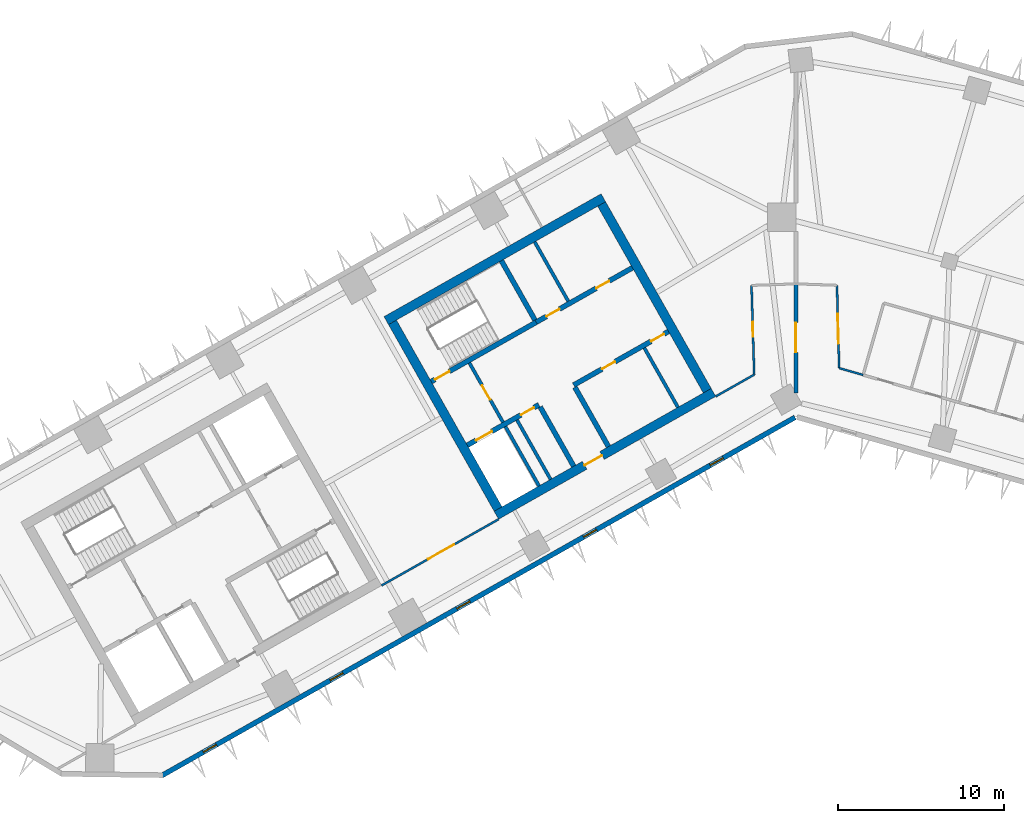
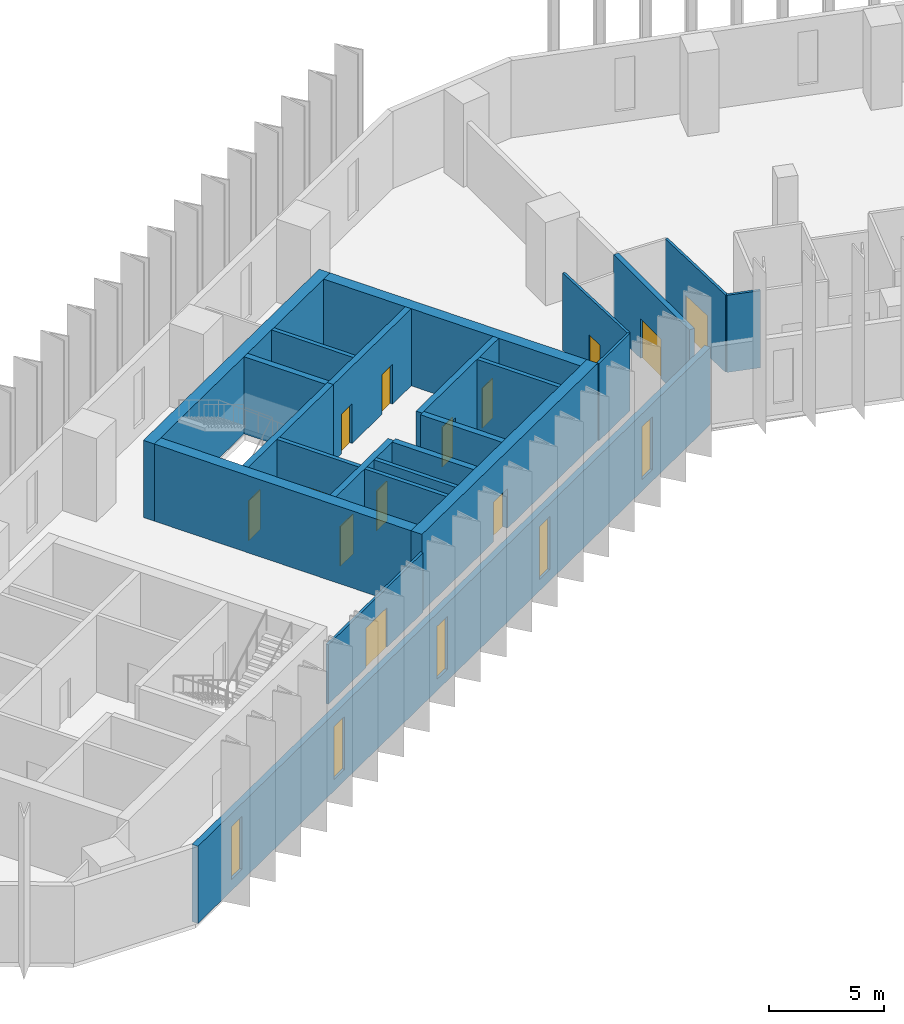
# One storey, part 4 of 11: 23 walls, 13 doors, 5 windows, 18 openings.
"""IFC4 building model written with IfcOpenShell, lengths in metres."""

import ifcopenshell
import ifcopenshell.guid

model = None  # the IFC model being written
_history = None  # IfcOwnerHistory: only IFC2X3 demands one
_inside = {}  # id of a spatial element -> (the spatial element, [elements in it])
_under = {}  # id of a project, library or spatial element -> (it, [spatial elements below it])
_declared = {}  # id of a project -> (the project, [libraries it declares])
_typed = {}  # id of a type object -> (the type object, [elements of that type])
_made_of = {}  # id of a material, layer set ... -> (it, [elements and type objects made of it])


def new_model(schema):
    """Start an empty IFC model of exactly this schema.

    Asked for "IFC4X3", IfcOpenShell would pick the latest addendum, in which some entities
    have other attributes; the version numbers below select the first issue.
    IFC2X3 requires an IfcOwnerHistory on every rooted entity: one is made here for all.
    """
    global model, _history
    if schema == "IFC4X3":
        model = ifcopenshell.file(schema_version=(4, 3, 0, 0))
    else:
        model = ifcopenshell.file(schema=schema)
    _inside.clear()
    _under.clear()
    _declared.clear()
    _typed.clear()
    _made_of.clear()
    _history = None
    if model.schema == "IFC2X3":
        org = make("IfcOrganization", Name="unknown")
        user = make(
            "IfcPersonAndOrganization",
            ThePerson=make("IfcPerson", FamilyName="unknown"),
            TheOrganization=org,
        )
        app = make(
            "IfcApplication",
            ApplicationDeveloper=org,
            Version="unknown",
            ApplicationFullName="unknown",
            ApplicationIdentifier="unknown",
        )
        _history = make(
            "IfcOwnerHistory",
            OwningUser=user,
            OwningApplication=app,
            ChangeAction="ADDED",
            CreationDate=0,
        )
    return model


def make(cls, **values):
    """One entity of the class cls with the attributes given. An attribute that is None is left unset."""
    return model.create_entity(
        cls, **{name: value for name, value in values.items() if value is not None}
    )


def rooted(cls, **values):
    """An entity with a GlobalId (a new one), such as an element, a storey or a relation."""
    return make(cls, GlobalId=ifcopenshell.guid.new(), OwnerHistory=_history, **values)


def si_unit(unit_type, name, prefix=None):
    """IfcSIUnit, for example si_unit("LENGTHUNIT", "METRE", prefix="MILLI")."""
    return make("IfcSIUnit", UnitType=unit_type, Prefix=prefix, Name=name)


def assignment(units):
    """IfcUnitAssignment: the units of a project."""
    return None if units is None else make("IfcUnitAssignment", Units=units)


def point(xyz):
    """IfcCartesianPoint."""
    return None if xyz is None else make("IfcCartesianPoint", Coordinates=xyz)


def direction(xyz):
    """IfcDirection."""
    return None if xyz is None else make("IfcDirection", DirectionRatios=xyz)


def frame(location, z_axis=None, x_axis=None):
    """IfcAxis2Placement3D, a coordinate frame: its origin and axes. An axis left out is left unset."""
    return make(
        "IfcAxis2Placement3D",
        Location=point(location),
        Axis=direction(z_axis),
        RefDirection=direction(x_axis),
    )


def frame_2d(location, x_axis=None):
    """IfcAxis2Placement2D, a coordinate frame in the plane: its origin and x axis."""
    return make(
        "IfcAxis2Placement2D", Location=point(location), RefDirection=direction(x_axis)
    )


def origin():
    """The frame at (0, 0, 0) with its axes left unset."""
    return frame((0.0, 0.0, 0.0))


def place(relative_to, where):
    """IfcLocalPlacement: puts the frame where relative to a parent placement (None: the world)."""
    return make(
        "IfcLocalPlacement", PlacementRelTo=relative_to, RelativePlacement=where
    )


def context(
    kind, dimensions, precision=None, world=None, true_north=None, identifier=None
):
    """IfcGeometricRepresentationContext, for example the 3D "Model" context."""
    return make(
        "IfcGeometricRepresentationContext",
        ContextIdentifier=identifier,
        ContextType=kind,
        CoordinateSpaceDimension=dimensions,
        Precision=precision,
        WorldCoordinateSystem=world,
        TrueNorth=true_north,
    )


def subcontext(parent, identifier, kind, view, scale=None):
    """IfcGeometricRepresentationSubContext, for example "Body" below "Model"."""
    return make(
        "IfcGeometricRepresentationSubContext",
        ContextIdentifier=identifier,
        ContextType=kind,
        ParentContext=parent,
        TargetScale=scale,
        TargetView=view,
    )


def project(units=None, contexts=None):
    """IfcProject with its units and contexts."""
    return rooted(
        "IfcProject",
        Name="project",
        RepresentationContexts=contexts,
        UnitsInContext=assignment(units),
    )


def spatial(cls, under=None, at=None, **own):
    """A site, building, storey or space (cls), placed at a placement, below another one or the project."""
    s = rooted(cls, ObjectPlacement=at, **own)
    if under is not None:
        _under.setdefault(under.id(), (under, []))[1].append(s)
    return s


def profile(cls, at=None, kind="AREA", **sizes):
    """A parametric profile (cls). Its sizes go by their IFC names, for example OverallWidth=200.0."""
    return make(cls, ProfileType=kind, Position=at, **sizes)


def rectangle(**sizes):
    """IfcRectangleProfileDef."""
    return profile("IfcRectangleProfileDef", **sizes)


def extrude(swept, where, along, depth):
    """IfcExtrudedAreaSolid: the profile swept, set in the frame where, extruded along a direction by depth."""
    return make(
        "IfcExtrudedAreaSolid",
        SweptArea=swept,
        Position=where,
        ExtrudedDirection=direction(along),
        Depth=depth,
    )


def shape(context_of_items, identifier, shape_type, items):
    """IfcShapeRepresentation: the items that make up one representation, for example the "Body"."""
    return make(
        "IfcShapeRepresentation",
        ContextOfItems=context_of_items,
        RepresentationIdentifier=identifier,
        RepresentationType=shape_type,
        Items=items,
    )


def material(Name=None, Category=None):
    """IfcMaterial."""
    return make("IfcMaterial", Name=Name, Category=Category)


def layer(
    of_material, thickness, ventilated=None, Name=None, Category=None, Priority=None
):
    """IfcMaterialLayer: one layer of a wall or slab, of a material (None: an air gap)."""
    return make(
        "IfcMaterialLayer",
        Material=of_material,
        LayerThickness=thickness,
        IsVentilated=ventilated,
        Name=Name,
        Category=Category,
        Priority=Priority,
    )


def layer_set(layers, Name=None):
    """IfcMaterialLayerSet."""
    return make("IfcMaterialLayerSet", MaterialLayers=layers, LayerSetName=Name)


def made_of(thing, what):
    """Note that an element or type object is made of a material, layer set ...; save() writes the relation."""
    if what is not None:
        _made_of.setdefault(what.id(), (what, []))[1].append(thing)
    return thing


def type_object(cls, material=None, **own):
    """A type object (cls), such as IfcWallType, which elements share."""
    return made_of(rooted(cls, **own), material)


def element(
    cls,
    number,
    at=None,
    inside=None,
    cuts=None,
    type_object=None,
    material=None,
    context=None,
    identifier="Body",
    shape_type=None,
    held_by="IfcProductDefinitionShape",
    body=None,
    shapes=None,
    **own,
):
    """One element of the class cls, such as IfcWall. Its Tag is "e" and its number.

    at: its placement. inside: the storey or other place that contains it. cuts: it is an
    opening in that element (IfcRelVoidsElement). A single representation is given by context,
    identifier, shape_type and body (its items); several are given by shapes. held_by: the class
    of the entity that holds the representations. save() writes the other relations.
    """
    e = rooted(cls, Tag="e%d" % number, ObjectPlacement=at, **own)
    if body is not None:
        shapes = [shape(context, identifier, shape_type, body)]
    if shapes is not None:
        e.Representation = make(held_by, Representations=shapes)
    if inside is not None:
        _inside.setdefault(inside.id(), (inside, []))[1].append(e)
    if cuts is not None:
        rooted(
            "IfcRelVoidsElement", RelatingBuildingElement=cuts, RelatedOpeningElement=e
        )
    if type_object is not None:
        _typed.setdefault(type_object.id(), (type_object, []))[1].append(e)
    return made_of(e, material)


def fill(opening, filler):
    """IfcRelFillsElement: the door or window that sits in an opening."""
    return rooted(
        "IfcRelFillsElement",
        RelatingOpeningElement=opening,
        RelatedBuildingElement=filler,
    )


def aggregate(whole, parts):
    """IfcRelAggregates: a whole, such as a stair, and the parts it consists of."""
    return rooted("IfcRelAggregates", RelatingObject=whole, RelatedObjects=parts)


def save(model, path):
    """Write the relations noted so far, then the file.

    IfcRelAggregates (storeys below a building ...), IfcRelContainedInSpatialStructure (elements
    in a storey), IfcRelDefinesByType, IfcRelAssociatesMaterial and IfcRelDeclares: one each for
    every whole, place, type object, material and project.
    """
    for whole, parts in _under.values():
        aggregate(whole, parts)
    for where, things in _inside.values():
        rooted(
            "IfcRelContainedInSpatialStructure",
            RelatedElements=things,
            RelatingStructure=where,
        )
    for kind, things in _typed.values():
        rooted("IfcRelDefinesByType", RelatedObjects=things, RelatingType=kind)
    for what, things in _made_of.values():
        rooted("IfcRelAssociatesMaterial", RelatedObjects=things, RelatingMaterial=what)
    for by, libraries in _declared.values():
        rooted("IfcRelDeclares", RelatingContext=by, RelatedDefinitions=libraries)
    model.write(path)


model = new_model("IFC4")

# Units and contexts
model_context = context("Model", 3, precision=1e-05, world=origin(), true_north=direction((0.0, 1.0)))
body_context = subcontext(model_context, "Body", "Model", "MODEL_VIEW")
ifc_project = project(units=[si_unit("LENGTHUNIT", "METRE"), si_unit("AREAUNIT", "SQUARE_METRE"), si_unit("VOLUMEUNIT", "CUBIC_METRE"), si_unit("PLANEANGLEUNIT", "RADIAN"), si_unit("MASSUNIT", "GRAM", prefix="KILO")], contexts=[model_context])

# Site, building, storey
site_placement = place(None, origin())
site = spatial("IfcSite", under=ifc_project, at=site_placement, CompositionType="ELEMENT")
building_placement = place(site_placement, origin())
building = spatial("IfcBuilding", under=site, at=building_placement, Name="Binnacle Exchange Tower", CompositionType="ELEMENT")
storey_placement = place(building_placement, frame((0.0, 0.0, 123.5)))
storey = spatial("IfcBuildingStorey", under=building, at=storey_placement, Name="L25", CompositionType="ELEMENT", Elevation=123.5)

# Walls
ifc_material_1 = material(Name="Gypsum partition fire rated")
ifc_layer_1 = layer(ifc_material_1, 0.199951171875)
ifc_layer_set_1 = layer_set([ifc_layer_1], Name="Core partition 200")
wall_type_1 = type_object("IfcWallType", Name="Core partition 200", PredefinedType="PARTITIONING", material=ifc_layer_set_1)
wall_1_placement = place(storey_placement, frame((-15.709228515625, 58.52294921875, 0.0), z_axis=(0.0, 0.0, 1.0), x_axis=(0.492428039142, -0.870353161807, 0.0)))
element("IfcWall", 1, at=wall_1_placement, inside=storey, type_object=wall_type_1, Name="Core wall CRWC17", PredefinedType="PARTITIONING", context=body_context, shape_type="SweptSolid", body=[
    extrude(rectangle(XDim=4.10009765625, YDim=0.199951171875, at=frame_2d((2.050048828125, 0.0))), origin(), (0.0, 0.0, 1.0), 4.080078125),
])
wall_2_placement = place(storey_placement, frame((-9.11279296875, 52.14404296875, 0.0), z_axis=(0.0, 0.0, 1.0), x_axis=(0.492408451753, -0.87036424366, 0.0)))
element("IfcWall", 2, at=wall_2_placement, inside=storey, type_object=wall_type_1, Name="Core wall CRWC22", PredefinedType="PARTITIONING", context=body_context, shape_type="SweptSolid", body=[
    extrude(rectangle(XDim=4.099853515625, YDim=0.199951171875, at=frame_2d((2.0498046875, 0.0))), origin(), (0.0, 0.0, 1.0), 4.080078125),
])

# Wall, openings, doors
ifc_material_2 = material(Name="Concrete C70/85", Category="concrete")
ifc_layer_2 = layer(ifc_material_2, 0.300048828125)
ifc_layer_set_2 = layer_set([ifc_layer_2], Name="Core wall - front 300")
wall_type_2 = type_object("IfcWallType", Name="Core wall - front 300", PredefinedType="SOLIDWALL", material=ifc_layer_set_2)
wall_3_placement = place(storey_placement, frame((-19.76171875, 46.291748046875, 0.0), z_axis=(0.0, 0.0, 1.0), x_axis=(0.870359758983, 0.49241637863, 0.0)))
wall_3 = element("IfcWall", 3, at=wall_3_placement, inside=storey, type_object=wall_type_2, Name="Core wall CRWC2", PredefinedType="SOLIDWALL", context=body_context, shape_type="SweptSolid", body=[
    extrude(rectangle(XDim=4.9501953125, YDim=0.300048828125, at=frame_2d((2.47509765625, 0.0))), origin(), (0.0, 0.0, 1.0), 4.080078125),
])
opening_1_placement = place(wall_3_placement, frame((0.60009765625, 0.0, 0.0)))
opening_1 = element("IfcOpeningElement", 4, at=opening_1_placement, cuts=wall_3, Name="Opening LD14", PredefinedType="OPENING", context=body_context, shape_type="SweptSolid", body=[
    extrude(rectangle(XDim=1.10009765625, YDim=2.10009765625, at=frame_2d((0.550048828125, 1.050048828125))), frame((0.0, 0.159912109375, 0.0), z_axis=(0.0, -1.0, 0.0), x_axis=(1.0, 0.0, 0.0)), (0.0, 0.0, 1.0), 0.320068359375),
])
opening_2_placement = place(wall_3_placement, frame((3.699951171875, 0.0, 0.0)))
opening_2 = element("IfcOpeningElement", 5, at=opening_2_placement, cuts=wall_3, Name="Opening DC14", PredefinedType="OPENING", context=body_context, shape_type="SweptSolid", body=[
    extrude(rectangle(XDim=0.89990234375, YDim=2.10009765625, at=frame_2d((0.449951171875, 1.050048828125))), frame((0.0, 0.159912109375, 0.0), z_axis=(0.0, -1.0, 0.0), x_axis=(1.0, 0.0, 0.0)), (0.0, 0.0, 1.0), 0.320068359375),
])
ifc_material_3 = material(Name="Steel door leaf", Category="steel")
door_type_1 = type_object("IfcDoorType", Name="Fire door - lift landing 1100", OperationType="NOTDEFINED", PredefinedType="DOOR", material=ifc_material_3)
door_1_placement = place(opening_1_placement, origin())
door_1 = element("IfcDoor", 6, at=door_1_placement, inside=storey, type_object=door_type_1, Name="Landing door LD14 L25", OperationType="DOUBLE_DOOR_SLIDING", OverallHeight=2.10009765625, OverallWidth=1.10009765625, PredefinedType="DOOR", context=body_context, shape_type="SweptSolid", body=[
    extrude(rectangle(XDim=1.10009765625, YDim=2.10009765625, at=frame_2d((0.550048828125, 1.050048828125))), frame((0.0, 0.02490234375, 0.0), z_axis=(0.0, -1.0, 0.0), x_axis=(1.0, 0.0, 0.0)), (0.0, 0.0, 1.0), 0.050048828125),
])
fill(opening_1, door_1)
door_type_2 = type_object("IfcDoorType", Name="Fire door 900", OperationType="NOTDEFINED", PredefinedType="DOOR", material=ifc_material_3)
door_2_placement = place(opening_2_placement, frame((0.89990234375, 0.0, 0.0), z_axis=(0.0, 0.0, 1.0), x_axis=(-1.0, 0.0, 0.0)))
door_2 = element("IfcDoor", 7, at=door_2_placement, inside=storey, type_object=door_type_2, Name="Core room door FIBRE ENTRY ROOM", OperationType="SINGLE_SWING_LEFT", OverallHeight=2.10009765625, OverallWidth=0.89990234375, PredefinedType="DOOR", context=body_context, shape_type="SweptSolid", body=[
    extrude(rectangle(XDim=0.89990234375, YDim=2.10009765625, at=frame_2d((0.449951171875, 1.050048828125))), frame((0.0, 0.02490234375, 0.0), z_axis=(0.0, -1.0, 0.0), x_axis=(1.0, 0.0, 0.0)), (0.0, 0.0, 1.0), 0.050048828125),
])
fill(opening_2, door_2)

wall_4_placement = place(storey_placement, frame((-13.364501953125, 49.910888671875, 0.0), z_axis=(0.0, 0.0, 1.0), x_axis=(0.870336435567, 0.492457601144, 0.0)))
wall_4 = element("IfcWall", 8, at=wall_4_placement, inside=storey, type_object=wall_type_2, Name="Core wall CRWC3", PredefinedType="SOLIDWALL", context=body_context, shape_type="SweptSolid", body=[
    extrude(rectangle(XDim=6.550048828125, YDim=0.300048828125, at=frame_2d((3.27490234375, 0.0))), origin(), (0.0, 0.0, 1.0), 4.080078125),
])
opening_3_placement = place(wall_4_placement, frame((1.949951171875, 0.0, 0.0)))
opening_3 = element("IfcOpeningElement", 9, at=opening_3_placement, cuts=wall_4, Name="Opening DC18", PredefinedType="OPENING", context=body_context, shape_type="SweptSolid", body=[
    extrude(rectangle(XDim=0.89990234375, YDim=2.10009765625, at=frame_2d((0.449951171875, 1.050048828125))), frame((0.0, 0.159912109375, 0.0), z_axis=(0.0, -1.0, 0.0), x_axis=(1.0, 0.0, 0.0)), (0.0, 0.0, 1.0), 0.320068359375),
])
opening_4_placement = place(wall_4_placement, frame((5.35009765625, 0.0, 0.0)))
opening_4 = element("IfcOpeningElement", 10, at=opening_4_placement, cuts=wall_4, Name="Opening DC19", PredefinedType="OPENING", context=body_context, shape_type="SweptSolid", body=[
    extrude(rectangle(XDim=0.89990234375, YDim=2.10009765625, at=frame_2d((0.449951171875, 1.050048828125))), frame((0.0, 0.159912109375, 0.0), z_axis=(0.0, -1.0, 0.0), x_axis=(1.0, 0.0, 0.0)), (0.0, 0.0, 1.0), 0.320068359375),
])
door_3_placement = place(opening_3_placement, frame((0.89990234375, 0.0, 0.0), z_axis=(0.0, 0.0, 1.0), x_axis=(-1.0, 0.0, 0.0)))
door_3 = element("IfcDoor", 11, at=door_3_placement, inside=storey, type_object=door_type_2, Name="Core room door TELECOM RISER ROOM", OperationType="SINGLE_SWING_RIGHT", OverallHeight=2.10009765625, OverallWidth=0.89990234375, PredefinedType="DOOR", context=body_context, shape_type="SweptSolid", body=[
    extrude(rectangle(XDim=0.89990234375, YDim=2.10009765625, at=frame_2d((0.449951171875, 1.050048828125))), frame((0.0, 0.02490234375, 0.0), z_axis=(0.0, -1.0, 0.0), x_axis=(1.0, 0.0, 0.0)), (0.0, 0.0, 1.0), 0.050048828125),
])
fill(opening_3, door_3)
door_4_placement = place(opening_4_placement, frame((0.89990234375, 0.0, 0.0), z_axis=(0.0, 0.0, 1.0), x_axis=(-1.0, 0.0, 0.0)))
door_4 = element("IfcDoor", 12, at=door_4_placement, inside=storey, type_object=door_type_2, Name="Core room door COMMS RISER ROOM", OperationType="SINGLE_SWING_LEFT", OverallHeight=2.10009765625, OverallWidth=0.89990234375, PredefinedType="DOOR", context=body_context, shape_type="SweptSolid", body=[
    extrude(rectangle(XDim=0.89990234375, YDim=2.10009765625, at=frame_2d((0.449951171875, 1.050048828125))), frame((0.0, 0.02490234375, 0.0), z_axis=(0.0, -1.0, 0.0), x_axis=(1.0, 0.0, 0.0)), (0.0, 0.0, 1.0), 0.050048828125),
])
fill(opening_4, door_4)

wall_5_placement = place(storey_placement, frame((-15.6181640625, 53.69140625, 0.0), z_axis=(0.0, 0.0, 1.0), x_axis=(0.870367894134, 0.492401999246, 0.0)))
wall_5 = element("IfcWall", 13, at=wall_5_placement, inside=storey, type_object=wall_type_2, Name="Core wall CRWC5", PredefinedType="SOLIDWALL", context=body_context, shape_type="SweptSolid", body=[
    extrude(rectangle(XDim=6.64990234375, YDim=0.300048828125, at=frame_2d((3.324951171875, 0.0))), origin(), (0.0, 0.0, 1.0), 4.080078125),
])
opening_5_placement = place(wall_5_placement, frame((0.699951171875, 0.0, 0.0)))
opening_5 = element("IfcOpeningElement", 14, at=opening_5_placement, cuts=wall_5, Name="Opening DC10", PredefinedType="OPENING", context=body_context, shape_type="SweptSolid", body=[
    extrude(rectangle(XDim=0.89990234375, YDim=2.10009765625, at=frame_2d((0.449951171875, 1.050048828125))), frame((0.0, 0.159912109375, 0.0), z_axis=(0.0, -1.0, 0.0), x_axis=(1.0, 0.0, 0.0)), (0.0, 0.0, 1.0), 0.320068359375),
])
opening_6_placement = place(wall_5_placement, frame((4.14990234375, 0.0, 0.0)))
opening_6 = element("IfcOpeningElement", 15, at=opening_6_placement, cuts=wall_5, Name="Opening DC11", PredefinedType="OPENING", context=body_context, shape_type="SweptSolid", body=[
    extrude(rectangle(XDim=0.89990234375, YDim=2.10009765625, at=frame_2d((0.449951171875, 1.050048828125))), frame((0.0, 0.159912109375, 0.0), z_axis=(0.0, -1.0, 0.0), x_axis=(1.0, 0.0, 0.0)), (0.0, 0.0, 1.0), 0.320068359375),
])
door_5_placement = place(opening_5_placement, origin())
door_5 = element("IfcDoor", 16, at=door_5_placement, inside=storey, type_object=door_type_2, Name="Core room door UPS CUPBOARD", OperationType="SINGLE_SWING_LEFT", OverallHeight=2.10009765625, OverallWidth=0.89990234375, PredefinedType="DOOR", context=body_context, shape_type="SweptSolid", body=[
    extrude(rectangle(XDim=0.89990234375, YDim=2.10009765625, at=frame_2d((0.449951171875, 1.050048828125))), frame((0.0, 0.02490234375, 0.0), z_axis=(0.0, -1.0, 0.0), x_axis=(1.0, 0.0, 0.0)), (0.0, 0.0, 1.0), 0.050048828125),
])
fill(opening_5, door_5)
door_6_placement = place(opening_6_placement, origin())
door_6 = element("IfcDoor", 17, at=door_6_placement, inside=storey, type_object=door_type_2, Name="Core room door EQUIPMENT STORE", OperationType="SINGLE_SWING_RIGHT", OverallHeight=2.10009765625, OverallWidth=0.89990234375, PredefinedType="DOOR", context=body_context, shape_type="SweptSolid", body=[
    extrude(rectangle(XDim=0.89990234375, YDim=2.10009765625, at=frame_2d((0.449951171875, 1.050048828125))), frame((0.0, 0.02490234375, 0.0), z_axis=(0.0, -1.0, 0.0), x_axis=(1.0, 0.0, 0.0)), (0.0, 0.0, 1.0), 0.050048828125),
])
fill(opening_6, door_6)

# Walls
wall_6_placement = place(storey_placement, frame((-15.37939453125, 48.5986328125, 0.0), z_axis=(0.0, 0.0, 1.0), x_axis=(0.492408451753, -0.87036424366, 0.0)))
element("IfcWall", 18, at=wall_6_placement, inside=storey, type_object=wall_type_2, Name="Core wall CRWC13", PredefinedType="SOLIDWALL", context=body_context, shape_type="SweptSolid", body=[
    extrude(rectangle(XDim=4.099853515625, YDim=0.300048828125, at=frame_2d((2.0498046875, 0.0))), origin(), (0.0, 0.0, 1.0), 4.080078125),
])
wall_7_placement = place(storey_placement, frame((-13.29052734375, 49.780517578125, 0.0), z_axis=(0.0, 0.0, 1.0), x_axis=(0.492382931784, -0.870378681085, 0.0)))
element("IfcWall", 19, at=wall_7_placement, inside=storey, type_object=wall_type_2, Name="Core wall CRWC15", PredefinedType="SOLIDWALL", context=body_context, shape_type="SweptSolid", body=[
    extrude(rectangle(XDim=4.10009765625, YDim=0.300048828125, at=frame_2d((2.050048828125, 0.0))), origin(), (0.0, 0.0, 1.0), 4.080078125),
])

# Wall, opening, door
ifc_layer_3 = layer(ifc_material_2, 0.550048828125)
ifc_layer_set_3 = layer_set([ifc_layer_3], Name="Core wall - outer 550")
wall_type_3 = type_object("IfcWallType", Name="Core wall - outer 550", PredefinedType="SOLIDWALL", material=ifc_layer_set_3)
wall_8_placement = place(storey_placement, frame((-18.01220703125, 42.08251953125, 0.0), z_axis=(0.0, 0.0, 1.0), x_axis=(0.870360574057, 0.492414937962, 0.0)))
wall_8 = element("IfcWall", 20, at=wall_8_placement, inside=storey, type_object=wall_type_3, Name="Core wall CRWC1", PredefinedType="SOLIDWALL", context=body_context, shape_type="SweptSolid", body=[
    extrude(rectangle(XDim=15.0, YDim=0.550048828125, at=frame_2d((7.5, 0.0))), origin(), (0.0, 0.0, 1.0), 4.080078125),
])
opening_7_placement = place(wall_8_placement, frame((6.10009765625, 0.0, 0.0)))
opening_7 = element("IfcOpeningElement", 21, at=opening_7_placement, cuts=wall_8, Name="Opening DC7", PredefinedType="OPENING", context=body_context, shape_type="SweptSolid", body=[
    extrude(rectangle(XDim=1.199951171875, YDim=2.10009765625, at=frame_2d((0.60009765625, 1.050048828125))), frame((0.0, 0.284912109375, 0.0), z_axis=(0.0, -1.0, 0.0), x_axis=(1.0, 0.0, 0.0)), (0.0, 0.0, 1.0), 0.570068359375),
])
door_type_3 = type_object("IfcDoorType", Name="Fire door 1200", OperationType="NOTDEFINED", PredefinedType="DOOR", material=ifc_material_3)
door_7_placement = place(opening_7_placement, frame((1.199951171875, 0.0, 0.0), z_axis=(0.0, 0.0, 1.0), x_axis=(-1.0, 0.0, 0.0)))
door_7 = element("IfcDoor", 22, at=door_7_placement, inside=storey, type_object=door_type_3, Name="Lift lobby entrance door core C", OperationType="SINGLE_SWING_RIGHT", OverallHeight=2.10009765625, OverallWidth=1.199951171875, PredefinedType="DOOR", context=body_context, shape_type="SweptSolid", body=[
    extrude(rectangle(XDim=1.199951171875, YDim=2.10009765625, at=frame_2d((0.60009765625, 1.050048828125))), frame((0.0, 0.02490234375, 0.0), z_axis=(0.0, -1.0, 0.0), x_axis=(1.0, 0.0, 0.0)), (0.0, 0.0, 1.0), 0.050048828125),
])
fill(opening_7, door_7)

# Walls
wall_9_placement = place(storey_placement, frame((-24.63525390625, 53.788818359375, 0.0), z_axis=(0.0, 0.0, 1.0), x_axis=(0.870360574057, 0.492414937962, 0.0)))
element("IfcWall", 23, at=wall_9_placement, inside=storey, type_object=wall_type_3, Name="Core wall CRWC6", PredefinedType="SOLIDWALL", context=body_context, shape_type="SweptSolid", body=[
    extrude(rectangle(XDim=15.0, YDim=0.550048828125, at=frame_2d((7.5, 0.0))), origin(), (0.0, 0.0, 1.0), 4.080078125),
])
for number, where, z_axis, x_axis, name in (
    (24, (-24.260498046875, 53.684814453125, 0.0), (0.0, 0.0, 1.0), (0.492427022044, -0.870353737259, 0.0), "Core wall CRWC7"),
    (25, (-11.683837890625, 60.80029296875, 0.0), (0.0, 0.0, 1.0), (0.492427022044, -0.870353737259, 0.0), "Core wall CRWC24"),
):
    element("IfcWall", number, at=place(storey_placement, frame(where, z_axis=z_axis, x_axis=x_axis)), inside=storey, type_object=wall_type_3, Name=name, PredefinedType="SOLIDWALL", context=body_context, shape_type="SweptSolid", body=[
        extrude(rectangle(XDim=12.89990234375, YDim=0.550048828125, at=frame_2d((6.449951171875, 0.0))), origin(), (0.0, 0.0, 1.0), 4.080078125),
    ])

# Wall, opening, door
ifc_layer_4 = layer(ifc_material_2, 0.300048828125)
ifc_layer_set_4 = layer_set([ifc_layer_4], Name="Core wall - stair 300")
wall_type_4 = type_object("IfcWallType", Name="Core wall - stair 300", PredefinedType="SOLIDWALL", material=ifc_layer_set_4)
wall_10_placement = place(storey_placement, frame((-21.92822265625, 50.12109375, 0.0), z_axis=(0.0, 0.0, 1.0), x_axis=(0.870340732628, 0.49245000673, 0.0)))
wall_10 = element("IfcWall", 26, at=wall_10_placement, inside=storey, type_object=wall_type_4, Name="Core wall CRWC4", PredefinedType="SOLIDWALL", context=body_context, shape_type="SweptSolid", body=[
    extrude(rectangle(XDim=7.25, YDim=0.300048828125, at=frame_2d((3.625, 0.0))), origin(), (0.0, 0.0, 1.0), 4.080078125),
])
opening_8_placement = place(wall_10_placement, frame((0.25, 0.0, 0.0)))
opening_8 = element("IfcOpeningElement", 27, at=opening_8_placement, cuts=wall_10, Name="Opening DC1", PredefinedType="OPENING", context=body_context, shape_type="SweptSolid", body=[
    extrude(rectangle(XDim=1.0, YDim=2.10009765625, at=frame_2d((0.5, 1.050048828125))), frame((0.0, 0.159912109375, 0.0), z_axis=(0.0, -1.0, 0.0), x_axis=(1.0, 0.0, 0.0)), (0.0, 0.0, 1.0), 0.320068359375),
])
door_type_4 = type_object("IfcDoorType", Name="Fire door 1000", OperationType="NOTDEFINED", PredefinedType="DOOR", material=ifc_material_3)
door_8_placement = place(opening_8_placement, origin())
door_8 = element("IfcDoor", 28, at=door_8_placement, inside=storey, type_object=door_type_4, Name="Stair door ST-C1", OperationType="SINGLE_SWING_LEFT", OverallHeight=2.10009765625, OverallWidth=1.0, PredefinedType="DOOR", context=body_context, shape_type="SweptSolid", body=[
    extrude(rectangle(XDim=1.0, YDim=2.10009765625, at=frame_2d((0.5, 1.050048828125))), frame((0.0, 0.02490234375, 0.0), z_axis=(0.0, -1.0, 0.0), x_axis=(1.0, 0.0, 0.0)), (0.0, 0.0, 1.0), 0.050048828125),
])
fill(opening_8, door_8)

# Wall
wall_11_placement = place(storey_placement, frame((-17.7109375, 57.390380859375, 0.0), z_axis=(0.0, 0.0, 1.0), x_axis=(0.492408451753, -0.87036424366, 0.0)))
element("IfcWall", 29, at=wall_11_placement, inside=storey, type_object=wall_type_4, Name="Core wall CRWC14", PredefinedType="SOLIDWALL", context=body_context, shape_type="SweptSolid", body=[
    extrude(rectangle(XDim=4.099853515625, YDim=0.300048828125, at=frame_2d((2.0498046875, 0.0))), origin(), (0.0, 0.0, 1.0), 4.080078125),
])

# Wall, openings, windows
ifc_material_4 = material(Name="Bronze aluminium cladding", Category="aluminium")
ifc_layer_5 = layer(ifc_material_4, 0.300048828125)
ifc_layer_set_5 = layer_set([ifc_layer_5], Name="External wall - spandrel 300")
wall_type_5 = type_object("IfcWallType", Name="External wall - spandrel 300", PredefinedType="STANDARD", material=ifc_layer_set_5)
wall_12_placement = place(storey_placement, frame((-0.0546875, 47.968994140625, 0.0), z_axis=(0.0, 0.0, 1.0), x_axis=(-0.870355730478, -0.492423499058, 0.0)))
wall_12 = element("IfcWall", 30, at=wall_12_placement, inside=storey, type_object=wall_type_5, Name="External wall EW-F07 L25", PredefinedType="STANDARD", context=body_context, shape_type="SweptSolid", body=[
    extrude(rectangle(XDim=43.750244140625, YDim=0.300048828125, at=frame_2d((21.875, 0.0))), origin(), (0.0, 0.0, 1.0), 4.080078125),
])
opening_9_placement = place(wall_12_placement, frame((39.976806640625, 0.0, 0.60009765625)))
opening_9 = element("IfcOpeningElement", 31, at=opening_9_placement, cuts=wall_12, Name="Opening WS2", PredefinedType="OPENING", context=body_context, shape_type="SweptSolid", body=[
    extrude(rectangle(XDim=0.89990234375, YDim=2.800048828125, at=frame_2d((0.449951171875, 1.39990234375))), frame((0.0, 0.159912109375, 0.0), z_axis=(0.0, -1.0, 0.0), x_axis=(1.0, 0.0, 0.0)), (0.0, 0.0, 1.0), 0.320068359375),
])
opening_10_placement = place(wall_12_placement, frame((31.222412109375, 0.0, 0.60009765625)))
opening_10 = element("IfcOpeningElement", 32, at=opening_10_placement, cuts=wall_12, Name="Opening WS2", PredefinedType="OPENING", context=body_context, shape_type="SweptSolid", body=[
    extrude(rectangle(XDim=0.89990234375, YDim=2.800048828125, at=frame_2d((0.449951171875, 1.39990234375))), frame((0.0, 0.159912109375, 0.0), z_axis=(0.0, -1.0, 0.0), x_axis=(1.0, 0.0, 0.0)), (0.0, 0.0, 1.0), 0.320068359375),
])
opening_11_placement = place(wall_12_placement, frame((22.4677734375, 0.0, 0.60009765625)))
opening_11 = element("IfcOpeningElement", 33, at=opening_11_placement, cuts=wall_12, Name="Opening WS2", PredefinedType="OPENING", context=body_context, shape_type="SweptSolid", body=[
    extrude(rectangle(XDim=0.89990234375, YDim=2.800048828125, at=frame_2d((0.449951171875, 1.39990234375))), frame((0.0, 0.159912109375, 0.0), z_axis=(0.0, -1.0, 0.0), x_axis=(1.0, 0.0, 0.0)), (0.0, 0.0, 1.0), 0.320068359375),
])
opening_12_placement = place(wall_12_placement, frame((13.713134765625, 0.0, 0.60009765625)))
opening_12 = element("IfcOpeningElement", 34, at=opening_12_placement, cuts=wall_12, Name="Opening WS2", PredefinedType="OPENING", context=body_context, shape_type="SweptSolid", body=[
    extrude(rectangle(XDim=0.89990234375, YDim=2.800048828125, at=frame_2d((0.449951171875, 1.39990234375))), frame((0.0, 0.159912109375, 0.0), z_axis=(0.0, -1.0, 0.0), x_axis=(1.0, 0.0, 0.0)), (0.0, 0.0, 1.0), 0.320068359375),
])
opening_13_placement = place(wall_12_placement, frame((4.958740234375, 0.0, 0.60009765625)))
opening_13 = element("IfcOpeningElement", 35, at=opening_13_placement, cuts=wall_12, Name="Opening WS2", PredefinedType="OPENING", context=body_context, shape_type="SweptSolid", body=[
    extrude(rectangle(XDim=0.89990234375, YDim=2.800048828125, at=frame_2d((0.449951171875, 1.39990234375))), frame((0.0, 0.159912109375, 0.0), z_axis=(0.0, -1.0, 0.0), x_axis=(1.0, 0.0, 0.0)), (0.0, 0.0, 1.0), 0.320068359375),
])
ifc_material_5 = material(Name="Bronze anodised aluminium frame", Category="aluminium")
window_type = type_object("IfcWindowType", Name="WS2 WINDOW 900x2800", PartitioningType="SINGLE_PANEL", PredefinedType="WINDOW", material=ifc_material_5)
window_1_placement = place(opening_9_placement, origin())
window_1 = element("IfcWindow", 36, at=window_1_placement, inside=storey, type_object=window_type, Name="Window WS2 L25", OverallHeight=2.800048828125, OverallWidth=0.89990234375, PartitioningType="SINGLE_PANEL", PredefinedType="WINDOW", context=body_context, shape_type="SweptSolid", body=[
    extrude(rectangle(XDim=0.89990234375, YDim=2.800048828125, at=frame_2d((0.449951171875, 1.39990234375))), frame((0.0, 0.030029296875, 0.0), z_axis=(0.0, -1.0, 0.0), x_axis=(1.0, 0.0, 0.0)), (0.0, 0.0, 1.0), 0.06005859375),
])
fill(opening_9, window_1)
window_2_placement = place(opening_10_placement, origin())
window_2 = element("IfcWindow", 37, at=window_2_placement, inside=storey, type_object=window_type, Name="Window WS2 L25", OverallHeight=2.800048828125, OverallWidth=0.89990234375, PartitioningType="SINGLE_PANEL", PredefinedType="WINDOW", context=body_context, shape_type="SweptSolid", body=[
    extrude(rectangle(XDim=0.89990234375, YDim=2.800048828125, at=frame_2d((0.449951171875, 1.39990234375))), frame((0.0, 0.030029296875, 0.0), z_axis=(0.0, -1.0, 0.0), x_axis=(1.0, 0.0, 0.0)), (0.0, 0.0, 1.0), 0.06005859375),
])
fill(opening_10, window_2)
window_3_placement = place(opening_11_placement, origin())
window_3 = element("IfcWindow", 38, at=window_3_placement, inside=storey, type_object=window_type, Name="Window WS2 L25", OverallHeight=2.800048828125, OverallWidth=0.89990234375, PartitioningType="SINGLE_PANEL", PredefinedType="WINDOW", context=body_context, shape_type="SweptSolid", body=[
    extrude(rectangle(XDim=0.89990234375, YDim=2.800048828125, at=frame_2d((0.449951171875, 1.39990234375))), frame((0.0, 0.030029296875, 0.0), z_axis=(0.0, -1.0, 0.0), x_axis=(1.0, 0.0, 0.0)), (0.0, 0.0, 1.0), 0.06005859375),
])
fill(opening_11, window_3)
window_4_placement = place(opening_12_placement, origin())
window_4 = element("IfcWindow", 39, at=window_4_placement, inside=storey, type_object=window_type, Name="Window WS2 L25", OverallHeight=2.800048828125, OverallWidth=0.89990234375, PartitioningType="SINGLE_PANEL", PredefinedType="WINDOW", context=body_context, shape_type="SweptSolid", body=[
    extrude(rectangle(XDim=0.89990234375, YDim=2.800048828125, at=frame_2d((0.449951171875, 1.39990234375))), frame((0.0, 0.030029296875, 0.0), z_axis=(0.0, -1.0, 0.0), x_axis=(1.0, 0.0, 0.0)), (0.0, 0.0, 1.0), 0.06005859375),
])
fill(opening_12, window_4)
window_5_placement = place(opening_13_placement, origin())
window_5 = element("IfcWindow", 40, at=window_5_placement, inside=storey, type_object=window_type, Name="Window WS2 L25", OverallHeight=2.800048828125, OverallWidth=0.89990234375, PartitioningType="SINGLE_PANEL", PredefinedType="WINDOW", context=body_context, shape_type="SweptSolid", body=[
    extrude(rectangle(XDim=0.89990234375, YDim=2.800048828125, at=frame_2d((0.449951171875, 1.39990234375))), frame((0.0, 0.030029296875, 0.0), z_axis=(0.0, -1.0, 0.0), x_axis=(1.0, 0.0, 0.0)), (0.0, 0.0, 1.0), 0.06005859375),
])
fill(opening_13, window_5)

# Wall, opening, door
ifc_material_6 = material(Name="Concrete fire wall C30/37", Category="concrete")
ifc_layer_6 = layer(ifc_material_6, 0.25)
ifc_layer_set_6 = layer_set([ifc_layer_6], Name="Fire wall - compartment 250")
wall_type_6 = type_object("IfcWallType", Name="Fire wall - compartment 250", PredefinedType="PARTITIONING", material=ifc_layer_set_6)
wall_13_placement = place(storey_placement, frame((0.0, 49.422119140625, 0.0), z_axis=(0.0, 0.0, 1.0), x_axis=(0.0, 1.0, 0.0)))
wall_13 = element("IfcWall", 41, at=wall_13_placement, inside=storey, type_object=wall_type_6, Name="Fire Wall W08", PredefinedType="PARTITIONING", context=body_context, shape_type="SweptSolid", body=[
    extrude(rectangle(XDim=6.577880859375, YDim=0.25, at=frame_2d((3.2890625, 0.0))), origin(), (0.0, 0.0, 1.0), 4.080078125),
])
opening_14_placement = place(wall_13_placement, frame((2.449951171875, 0.0, 0.0)))
opening_14 = element("IfcOpeningElement", 42, at=opening_14_placement, cuts=wall_13, Name="Opening DL25-10", PredefinedType="OPENING", context=body_context, shape_type="SweptSolid", body=[
    extrude(rectangle(XDim=1.800048828125, YDim=2.10009765625, at=frame_2d((0.89990234375, 1.050048828125))), frame((0.0, 0.135009765625, 0.0), z_axis=(0.0, -1.0, 0.0), x_axis=(1.0, 0.0, 0.0)), (0.0, 0.0, 1.0), 0.27001953125),
])
door_type_5 = type_object("IfcDoorType", Name="Fire door 1800", OperationType="NOTDEFINED", PredefinedType="DOOR", material=ifc_material_3)
door_9_placement = place(opening_14_placement, origin())
door_9 = element("IfcDoor", 43, at=door_9_placement, inside=storey, type_object=door_type_5, Name="Door DL25-10", OperationType="DOUBLE_DOOR_SINGLE_SWING", OverallHeight=2.10009765625, OverallWidth=1.800048828125, PredefinedType="DOOR", context=body_context, shape_type="SweptSolid", body=[
    extrude(rectangle(XDim=1.800048828125, YDim=2.10009765625, at=frame_2d((0.89990234375, 1.050048828125))), frame((0.0, 0.02490234375, 0.0), z_axis=(0.0, -1.0, 0.0), x_axis=(1.0, 0.0, 0.0)), (0.0, 0.0, 1.0), 0.050048828125),
])
fill(opening_14, door_9)

ifc_material_7 = material(Name="Masonry block wall", Category="masonry")
ifc_layer_7 = layer(ifc_material_7, 0.199951171875)
ifc_layer_set_7 = layer_set([ifc_layer_7], Name="Fire wall - vestibule 200")
wall_type_7 = type_object("IfcWallType", Name="Fire wall - vestibule 200", PredefinedType="PARTITIONING", material=ifc_layer_set_7)
wall_14_placement = place(storey_placement, frame((-19.635009765625, 51.246337890625, 0.0), z_axis=(0.0, 0.0, 1.0), x_axis=(0.492408451753, -0.87036424366, 0.0)))
wall_14 = element("IfcWall", 44, at=wall_14_placement, inside=storey, type_object=wall_type_7, Name="Core wall CRWC10", PredefinedType="PARTITIONING", context=body_context, shape_type="SweptSolid", body=[
    extrude(rectangle(XDim=4.099853515625, YDim=0.199951171875, at=frame_2d((2.0498046875, 0.0))), origin(), (0.0, 0.0, 1.0), 4.080078125),
])
opening_15_placement = place(wall_14_placement, frame((1.550048828125, 0.0, 0.0)))
opening_15 = element("IfcOpeningElement", 45, at=opening_15_placement, cuts=wall_14, Name="Opening DC3", PredefinedType="OPENING", context=body_context, shape_type="SweptSolid", body=[
    extrude(rectangle(XDim=1.0, YDim=2.10009765625, at=frame_2d((0.5, 1.050048828125))), frame((0.0, 0.10986328125, 0.0), z_axis=(0.0, -1.0, 0.0), x_axis=(1.0, 0.0, 0.0)), (0.0, 0.0, 1.0), 0.219970703125),
])
door_10_placement = place(opening_15_placement, frame((1.0, 0.0, 0.0), z_axis=(0.0, 0.0, 1.0), x_axis=(-1.0, 0.0, 0.0)))
door_10 = element("IfcDoor", 46, at=door_10_placement, inside=storey, type_object=door_type_4, Name="Vestibule door VEST-W", OperationType="SINGLE_SWING_RIGHT", OverallHeight=2.10009765625, OverallWidth=1.0, PredefinedType="DOOR", context=body_context, shape_type="SweptSolid", body=[
    extrude(rectangle(XDim=1.0, YDim=2.10009765625, at=frame_2d((0.5, 1.050048828125))), frame((0.0, 0.02490234375, 0.0), z_axis=(0.0, -1.0, 0.0), x_axis=(1.0, 0.0, 0.0)), (0.0, 0.0, 1.0), 0.050048828125),
])
fill(opening_15, door_10)

ifc_material_8 = material(Name="Gypsum partition")
ifc_layer_8 = layer(ifc_material_8, 0.125)
ifc_layer_set_8 = layer_set([ifc_layer_8], Name="Partition 125")
wall_type_8 = type_object("IfcWallType", Name="Partition 125", PredefinedType="PARTITIONING", material=ifc_layer_set_8)
wall_15_placement = place(storey_placement, frame((-24.9189453125, 37.85888671875, 0.0), z_axis=(0.0, 0.0, 1.0), x_axis=(0.870357635969, 0.492420131098, 0.0)))
wall_15 = element("IfcWall", 47, at=wall_15_placement, inside=storey, type_object=wall_type_8, Name="Partition W03", PredefinedType="PARTITIONING", context=body_context, shape_type="SweptSolid", body=[
    extrude(rectangle(XDim=8.0908203125, YDim=0.125, at=frame_2d((4.04541015625, 0.0))), origin(), (0.0, 0.0, 1.0), 3.14794921875),
])
opening_16_placement = place(wall_15_placement, frame((3.199951171875, 0.0, 0.0)))
opening_16 = element("IfcOpeningElement", 48, at=opening_16_placement, cuts=wall_15, Name="Opening DL25-01", PredefinedType="OPENING", context=body_context, shape_type="SweptSolid", body=[
    extrude(rectangle(XDim=1.800048828125, YDim=2.10009765625, at=frame_2d((0.89990234375, 1.050048828125))), frame((0.0, 0.072509765625, 0.0), z_axis=(0.0, -1.0, 0.0), x_axis=(1.0, 0.0, 0.0)), (0.0, 0.0, 1.0), 0.14501953125),
])
ifc_material_9 = material(Name="Timber door leaf", Category="wood")
door_type_6 = type_object("IfcDoorType", Name="Double door 1800", OperationType="NOTDEFINED", PredefinedType="DOOR", material=ifc_material_9)
door_11_placement = place(opening_16_placement, origin())
door_11 = element("IfcDoor", 49, at=door_11_placement, inside=storey, type_object=door_type_6, Name="Door DL25-01", OperationType="DOUBLE_DOOR_SINGLE_SWING", OverallHeight=2.10009765625, OverallWidth=1.800048828125, PredefinedType="DOOR", context=body_context, shape_type="SweptSolid", body=[
    extrude(rectangle(XDim=1.800048828125, YDim=2.10009765625, at=frame_2d((0.89990234375, 1.050048828125))), frame((0.0, 0.02490234375, 0.0), z_axis=(0.0, -1.0, 0.0), x_axis=(1.0, 0.0, 0.0)), (0.0, 0.0, 1.0), 0.050048828125),
])
fill(opening_16, door_11)

# Wall
wall_16_placement = place(storey_placement, frame((-4.821044921875, 49.22998046875, 0.0), z_axis=(0.0, 0.0, 1.0), x_axis=(0.870371217631, 0.492396124598, 0.0)))
element("IfcWall", 50, at=wall_16_placement, inside=storey, type_object=wall_type_8, Name="Partition W05", PredefinedType="PARTITIONING", context=body_context, shape_type="SweptSolid", body=[
    extrude(rectangle(XDim=2.65869140625, YDim=0.125, at=frame_2d((1.329345703125, 0.0))), origin(), (0.0, 0.0, 1.0), 4.080078125),
])

# Wall, opening, door
wall_17_placement = place(storey_placement, frame((-2.669921875, 55.904052734375, 0.0), z_axis=(0.0, 0.0, 1.0), x_axis=(0.030338701418, -0.999539675649, 0.0)))
wall_17 = element("IfcWall", 51, at=wall_17_placement, inside=storey, type_object=wall_type_8, Name="Partition W06", PredefinedType="PARTITIONING", context=body_context, shape_type="SweptSolid", body=[
    extrude(rectangle(XDim=5.367431640625, YDim=0.125, at=frame_2d((2.68359375, 0.0))), origin(), (0.0, 0.0, 1.0), 4.080078125),
])
opening_17_placement = place(wall_17_placement, frame((2.199951171875, 0.0, 0.0)))
opening_17 = element("IfcOpeningElement", 52, at=opening_17_placement, cuts=wall_17, Name="Opening DL25-02", PredefinedType="OPENING", context=body_context, shape_type="SweptSolid", body=[
    extrude(rectangle(XDim=0.89990234375, YDim=2.10009765625, at=frame_2d((0.449951171875, 1.050048828125))), frame((0.0, 0.072509765625, 0.0), z_axis=(0.0, -1.0, 0.0), x_axis=(1.0, 0.0, 0.0)), (0.0, 0.0, 1.0), 0.14501953125),
])
door_type_7 = type_object("IfcDoorType", Name="Door 900", OperationType="NOTDEFINED", PredefinedType="DOOR", material=ifc_material_9)
door_12_placement = place(opening_17_placement, frame((0.89990234375, 0.0, 0.0), z_axis=(0.0, 0.0, 1.0), x_axis=(-1.0, 0.0, 0.0)))
door_12 = element("IfcDoor", 53, at=door_12_placement, inside=storey, type_object=door_type_7, Name="Door DL25-02", OperationType="SINGLE_SWING_RIGHT", OverallHeight=2.10009765625, OverallWidth=0.89990234375, PredefinedType="DOOR", context=body_context, shape_type="SweptSolid", body=[
    extrude(rectangle(XDim=0.89990234375, YDim=2.10009765625, at=frame_2d((0.449951171875, 1.050048828125))), frame((0.0, 0.02490234375, 0.0), z_axis=(0.0, -1.0, 0.0), x_axis=(1.0, 0.0, 0.0)), (0.0, 0.0, 1.0), 0.050048828125),
])
fill(opening_17, door_12)

wall_18_placement = place(storey_placement, frame((2.468994140625, 55.910888671875, 0.0), z_axis=(0.0, 0.0, 1.0), x_axis=(0.02651808123, -0.999648333849, 0.0)))
wall_18 = element("IfcWall", 54, at=wall_18_placement, inside=storey, type_object=wall_type_8, Name="Partition W12", PredefinedType="PARTITIONING", context=body_context, shape_type="SweptSolid", body=[
    extrude(rectangle(XDim=4.980712890625, YDim=0.125, at=frame_2d((2.490234375, 0.0))), origin(), (0.0, 0.0, 1.0), 4.080078125),
])
opening_18_placement = place(wall_18_placement, frame((1.699951171875, 0.0, 0.0)))
opening_18 = element("IfcOpeningElement", 55, at=opening_18_placement, cuts=wall_18, Name="Opening DL25-07", PredefinedType="OPENING", context=body_context, shape_type="SweptSolid", body=[
    extrude(rectangle(XDim=1.800048828125, YDim=2.10009765625, at=frame_2d((0.89990234375, 1.050048828125))), frame((0.0, 0.072509765625, 0.0), z_axis=(0.0, -1.0, 0.0), x_axis=(1.0, 0.0, 0.0)), (0.0, 0.0, 1.0), 0.14501953125),
])
door_13_placement = place(opening_18_placement, origin())
door_13 = element("IfcDoor", 56, at=door_13_placement, inside=storey, type_object=door_type_6, Name="Door DL25-07", OperationType="DOUBLE_DOOR_SINGLE_SWING", OverallHeight=2.10009765625, OverallWidth=1.800048828125, PredefinedType="DOOR", context=body_context, shape_type="SweptSolid", body=[
    extrude(rectangle(XDim=1.800048828125, YDim=2.10009765625, at=frame_2d((0.89990234375, 1.050048828125))), frame((0.0, 0.02490234375, 0.0), z_axis=(0.0, -1.0, 0.0), x_axis=(1.0, 0.0, 0.0)), (0.0, 0.0, 1.0), 0.050048828125),
])
fill(opening_18, door_13)

# Walls
wall_19_placement = place(storey_placement, frame((2.60107421875, 50.931884765625, 0.0), z_axis=(0.0, 0.0, 1.0), x_axis=(0.961197773994, -0.27586018065, 0.0)))
element("IfcWall", 57, at=wall_19_placement, inside=storey, type_object=wall_type_8, Name="Partition W13", PredefinedType="PARTITIONING", context=body_context, shape_type="SweptSolid", body=[
    extrude(rectangle(XDim=1.5, YDim=0.125, at=frame_2d((0.75, 0.0))), origin(), (0.0, 0.0, 1.0), 4.080078125),
])
ifc_layer_9 = layer(ifc_material_7, 0.199951171875)
ifc_layer_set_9 = layer_set([ifc_layer_9], Name="Riser wall 200")
wall_type_9 = type_object("IfcWallType", Name="Riser wall 200", PredefinedType="SOLIDWALL", material=ifc_layer_set_9)
wall_20_placement = place(storey_placement, frame((-17.468505859375, 47.416748046875, 0.0), z_axis=(0.0, 0.0, 1.0), x_axis=(0.492453559952, -0.87033872216, 0.0)))
element("IfcWall", 58, at=wall_20_placement, inside=storey, type_object=wall_type_9, Name="Core wall CRWC8", PredefinedType="SOLIDWALL", context=body_context, shape_type="SweptSolid", body=[
    extrude(rectangle(XDim=4.099853515625, YDim=0.199951171875, at=frame_2d((2.0498046875, 0.0))), origin(), (0.0, 0.0, 1.0), 4.080078125),
])
wall_21_placement = place(storey_placement, frame((-16.772216796875, 47.810791015625, 0.0), z_axis=(0.0, 0.0, 1.0), x_axis=(0.492428039142, -0.870353161807, 0.0)))
element("IfcWall", 59, at=wall_21_placement, inside=storey, type_object=wall_type_9, Name="Core wall CRWC11", PredefinedType="SOLIDWALL", context=body_context, shape_type="SweptSolid", body=[
    extrude(rectangle(XDim=4.10009765625, YDim=0.199951171875, at=frame_2d((2.050048828125, 0.0))), origin(), (0.0, 0.0, 1.0), 4.080078125),
])

save(model, "model.ifc")
